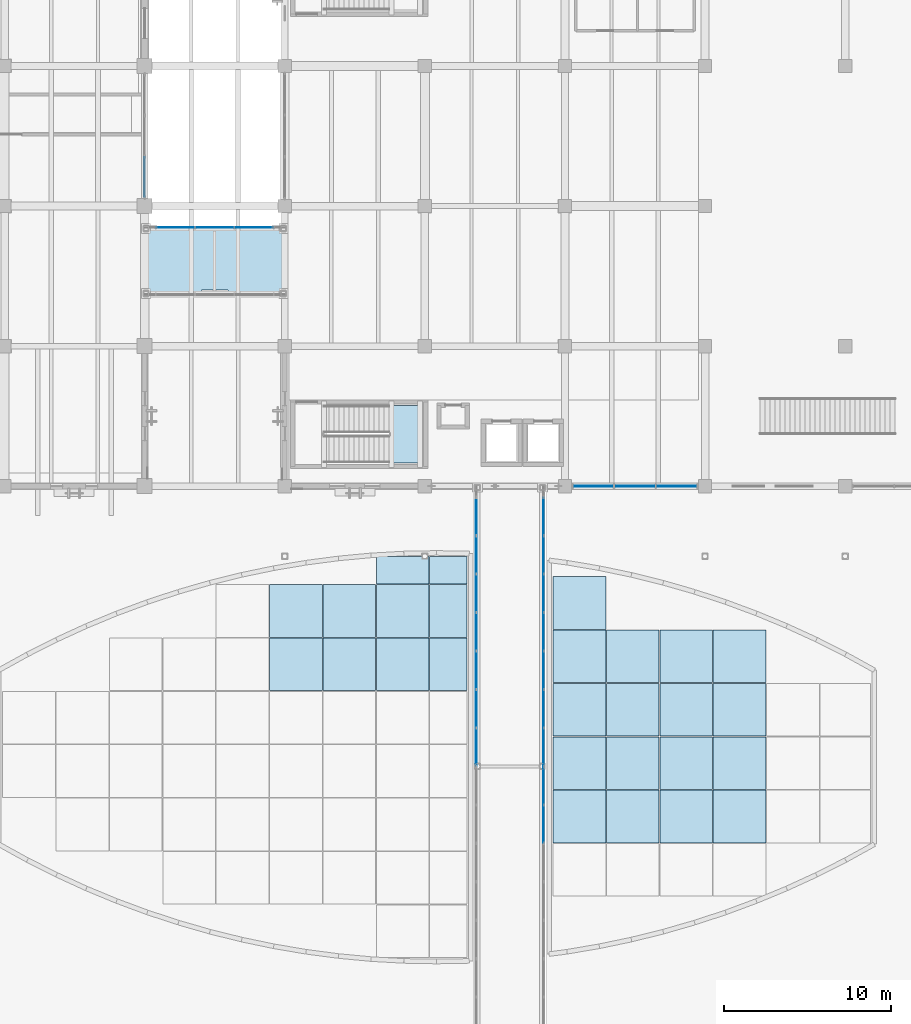
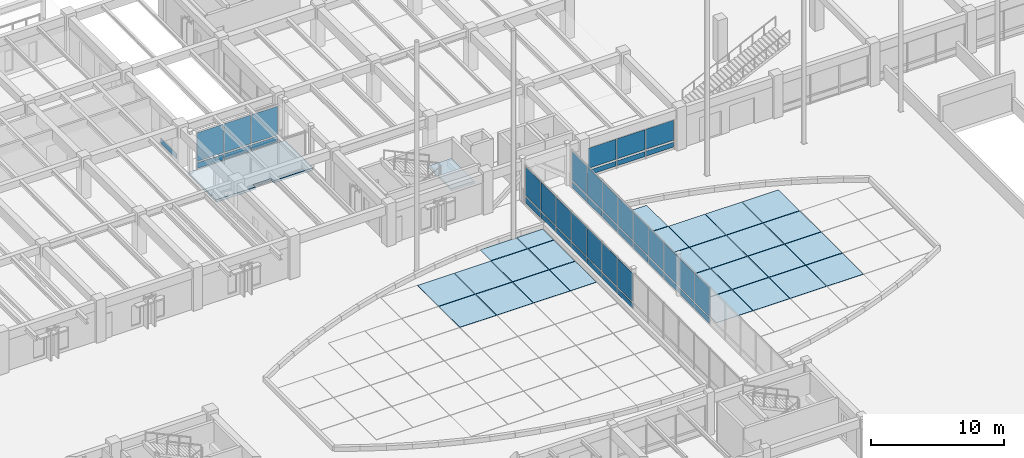
# One storey, part 68 of 135: 72 plates, 2 slabs, 6 elements without a shape of their own.
"""IFC4 building model written with IfcOpenShell, lengths in metres."""

from ifc_helpers import new_model, si_unit, direction, frame, origin, origin_2d, place, context, subcontext, project, spatial, polyline, rectangle, outline, extrude, material, layer, layer_set, type_object, element, aggregate, save


model = new_model("IFC4")

# Units and contexts
model_context = context("Model", 3, precision=1e-05, world=origin(), true_north=direction((0.0, 1.0)))
body_context = subcontext(model_context, "Body", "Model", "MODEL_VIEW")
ifc_project = project(units=[si_unit("LENGTHUNIT", "METRE"), si_unit("AREAUNIT", "SQUARE_METRE"), si_unit("VOLUMEUNIT", "CUBIC_METRE"), si_unit("PLANEANGLEUNIT", "RADIAN"), si_unit("MASSUNIT", "GRAM", prefix="KILO")], contexts=[model_context])

# Site, building, storey
site_placement = place(None, origin())
site = spatial("IfcSite", under=ifc_project, at=site_placement, CompositionType="ELEMENT")
building_placement = place(site_placement, origin())
building = spatial("IfcBuilding", under=site, at=building_placement, Name="Cumbredor Promenade Congress Hotel", CompositionType="ELEMENT")
storey_placement = place(building_placement, origin())
storey = spatial("IfcBuildingStorey", under=building, at=storey_placement, Name="L00", CompositionType="ELEMENT", Elevation=0.0)

# Stair, slab
ifc_material_1 = material(Name="Concrete C40/50", Category="concrete")
stair_type = type_object("IfcStairType", Name="Protected Dog-Leg Exit Stair ST-T3 1650mm", PredefinedType="HALF_TURN_STAIR", material=ifc_material_1)
stair_placement = place(storey_placement, origin())
stair = element("IfcStair", 1, at=stair_placement, inside=storey, type_object=stair_type, Name="L00 Protected Exit Stair ST-13", PredefinedType="HALF_TURN_STAIR")
ifc_layer_1 = layer(ifc_material_1, 0.199951171875, Name="Concrete C40/50", Category="concrete")
ifc_layer_set_1 = layer_set([ifc_layer_1], Name="Concrete C40/50")
slab_type_1 = type_object("IfcSlabType", Name="Concrete Stair Landing Slab 200mm", PredefinedType="LANDING", material=ifc_layer_set_1)
slab_1_placement = place(storey_placement, frame((0.0, 0.0, 1.760009765625)))
slab_1 = element("IfcSlab", 2, at=slab_1_placement, type_object=slab_type_1, Name="ST-13 landing 1", PredefinedType="LANDING", context=body_context, shape_type="SweptSolid", body=[
    extrude(outline(polyline([(98.64990234375, 85.39990234375), (100.64990234375, 85.39990234375), (100.64990234375, 88.85009765625), (98.64990234375, 88.85009765625), (98.64990234375, 85.39990234375)])), origin(), (0.0, 0.0, 1.0), 0.199951171875),
])
aggregate(stair, [slab_1])

# Curtain wall, plates
ifc_material_2 = material(Name="Thermally broken anodized aluminium and low-E glass", Category="aluminium")
curtain_wall_type_1 = type_object("IfcCurtainWallType", Name="Unitised Bridge Glazing Screen CW-05", PredefinedType="NOTDEFINED", material=ifc_material_2)
curtain_wall_1_placement = place(storey_placement, origin())
curtain_wall_1 = element("IfcCurtainWall", 3, at=curtain_wall_1_placement, inside=storey, type_object=curtain_wall_type_1, Name="L00 Central Reflecting-Pool Promenade Bridge West Glazing Screen", PredefinedType="NOTDEFINED")
ifc_material_3 = material(Name="Laminated low-E solar-control glass", Category="glass")
ifc_layer_2 = layer(ifc_material_3, 0.030029296875, Name="Laminated low-E solar-control glass", Category="glass")
ifc_layer_set_2 = layer_set([ifc_layer_2], Name="Laminated low-E solar-control glass")
plate_type_1 = type_object("IfcPlateType", Name="Glazed Bridge Panel PNL-04", PredefinedType="CURTAIN_PANEL", material=ifc_layer_set_2)
plate_1_placement = place(storey_placement, frame((103.8798828125, 68.352783203125, 0.78515625), z_axis=(0.0, 0.0, 1.0), x_axis=(0.0, 1.0, 0.0)))
plate_1 = element("IfcPlate", 4, at=plate_1_placement, type_object=plate_type_1, Name="L00 Central Reflecting-Pool Promenade Bridge West Glazing Screen Glazing Panel 8.2", PredefinedType="CURTAIN_PANEL", context=body_context, shape_type="SweptSolid", body=[
    extrude(rectangle(XDim=2.24072265625, YDim=0.030029296875, at=origin_2d()), origin(), (0.0, 0.0, 1.0), 2.6298828125),
])
plate_2_placement = place(storey_placement, frame((103.8798828125, 70.658447265625, 0.78515625), z_axis=(0.0, 0.0, 1.0), x_axis=(0.0, 1.0, 0.0)))
plate_2 = element("IfcPlate", 5, at=plate_2_placement, type_object=plate_type_1, Name="L00 Central Reflecting-Pool Promenade Bridge West Glazing Screen Glazing Panel 9.2", PredefinedType="CURTAIN_PANEL", context=body_context, shape_type="SweptSolid", body=[
    extrude(rectangle(XDim=2.24072265625, YDim=0.030029296875, at=origin_2d()), origin(), (0.0, 0.0, 1.0), 2.6298828125),
])
plate_3_placement = place(storey_placement, frame((103.8798828125, 72.964111328125, 0.78515625), z_axis=(0.0, 0.0, 1.0), x_axis=(0.0, 1.0, 0.0)))
plate_3 = element("IfcPlate", 6, at=plate_3_placement, type_object=plate_type_1, Name="L00 Central Reflecting-Pool Promenade Bridge West Glazing Screen Glazing Panel 10.2", PredefinedType="CURTAIN_PANEL", context=body_context, shape_type="SweptSolid", body=[
    extrude(rectangle(XDim=2.24072265625, YDim=0.030029296875, at=origin_2d()), origin(), (0.0, 0.0, 1.0), 2.6298828125),
])
plate_4_placement = place(storey_placement, frame((103.8798828125, 75.27001953125, 0.78515625), z_axis=(0.0, 0.0, 1.0), x_axis=(0.0, 1.0, 0.0)))
plate_4 = element("IfcPlate", 7, at=plate_4_placement, type_object=plate_type_1, Name="L00 Central Reflecting-Pool Promenade Bridge West Glazing Screen Glazing Panel 11.2", PredefinedType="CURTAIN_PANEL", context=body_context, shape_type="SweptSolid", body=[
    extrude(rectangle(XDim=2.24072265625, YDim=0.030029296875, at=origin_2d()), origin(), (0.0, 0.0, 1.0), 2.6298828125),
])
plate_5_placement = place(storey_placement, frame((103.8798828125, 77.57568359375, 0.78515625), z_axis=(0.0, 0.0, 1.0), x_axis=(0.0, 1.0, 0.0)))
plate_5 = element("IfcPlate", 8, at=plate_5_placement, type_object=plate_type_1, Name="L00 Central Reflecting-Pool Promenade Bridge West Glazing Screen Glazing Panel 12.2", PredefinedType="CURTAIN_PANEL", context=body_context, shape_type="SweptSolid", body=[
    extrude(rectangle(XDim=2.24072265625, YDim=0.030029296875, at=origin_2d()), origin(), (0.0, 0.0, 1.0), 2.6298828125),
])
plate_6_placement = place(storey_placement, frame((103.8798828125, 79.881591796875, 0.78515625), z_axis=(0.0, 0.0, 1.0), x_axis=(0.0, 1.0, 0.0)))
plate_6 = element("IfcPlate", 9, at=plate_6_placement, type_object=plate_type_1, Name="L00 Central Reflecting-Pool Promenade Bridge West Glazing Screen Glazing Panel 13.2", PredefinedType="CURTAIN_PANEL", context=body_context, shape_type="SweptSolid", body=[
    extrude(rectangle(XDim=2.24072265625, YDim=0.030029296875, at=origin_2d()), origin(), (0.0, 0.0, 1.0), 2.6298828125),
])
plate_7_placement = place(storey_placement, frame((103.8798828125, 82.187255859375, 0.78515625), z_axis=(0.0, 0.0, 1.0), x_axis=(0.0, 1.0, 0.0)))
plate_7 = element("IfcPlate", 10, at=plate_7_placement, type_object=plate_type_1, Name="L00 Central Reflecting-Pool Promenade Bridge West Glazing Screen Glazing Panel 14.2", PredefinedType="CURTAIN_PANEL", context=body_context, shape_type="SweptSolid", body=[
    extrude(rectangle(XDim=2.24072265625, YDim=0.030029296875, at=origin_2d()), origin(), (0.0, 0.0, 1.0), 2.6298828125),
])

curtain_wall_2_placement = place(storey_placement, origin())
curtain_wall_2 = element("IfcCurtainWall", 11, at=curtain_wall_2_placement, inside=storey, type_object=curtain_wall_type_1, Name="L00 Central Reflecting-Pool Promenade Bridge East Glazing Screen", PredefinedType="NOTDEFINED")
plate_8_placement = place(storey_placement, frame((107.919921875, 63.741455078125, 0.78515625), z_axis=(0.0, 0.0, 1.0), x_axis=(0.0, 1.0, 0.0)))
plate_8 = element("IfcPlate", 12, at=plate_8_placement, type_object=plate_type_1, Name="L00 Central Reflecting-Pool Promenade Bridge East Glazing Screen Glazing Panel 6.2", PredefinedType="CURTAIN_PANEL", context=body_context, shape_type="SweptSolid", body=[
    extrude(rectangle(XDim=2.24072265625, YDim=0.030029296875, at=origin_2d()), origin(), (0.0, 0.0, 1.0), 2.6298828125),
])
plate_9_placement = place(storey_placement, frame((107.919921875, 66.047119140625, 0.78515625), z_axis=(0.0, 0.0, 1.0), x_axis=(0.0, 1.0, 0.0)))
plate_9 = element("IfcPlate", 13, at=plate_9_placement, type_object=plate_type_1, Name="L00 Central Reflecting-Pool Promenade Bridge East Glazing Screen Glazing Panel 7.2", PredefinedType="CURTAIN_PANEL", context=body_context, shape_type="SweptSolid", body=[
    extrude(rectangle(XDim=2.24072265625, YDim=0.030029296875, at=origin_2d()), origin(), (0.0, 0.0, 1.0), 2.6298828125),
])
plate_10_placement = place(storey_placement, frame((107.919921875, 68.352783203125, 0.78515625), z_axis=(0.0, 0.0, 1.0), x_axis=(0.0, 1.0, 0.0)))
plate_10 = element("IfcPlate", 14, at=plate_10_placement, type_object=plate_type_1, Name="L00 Central Reflecting-Pool Promenade Bridge East Glazing Screen Glazing Panel 8.2", PredefinedType="CURTAIN_PANEL", context=body_context, shape_type="SweptSolid", body=[
    extrude(rectangle(XDim=2.24072265625, YDim=0.030029296875, at=origin_2d()), origin(), (0.0, 0.0, 1.0), 2.6298828125),
])
plate_11_placement = place(storey_placement, frame((107.919921875, 70.658447265625, 0.78515625), z_axis=(0.0, 0.0, 1.0), x_axis=(0.0, 1.0, 0.0)))
plate_11 = element("IfcPlate", 15, at=plate_11_placement, type_object=plate_type_1, Name="L00 Central Reflecting-Pool Promenade Bridge East Glazing Screen Glazing Panel 9.2", PredefinedType="CURTAIN_PANEL", context=body_context, shape_type="SweptSolid", body=[
    extrude(rectangle(XDim=2.24072265625, YDim=0.030029296875, at=origin_2d()), origin(), (0.0, 0.0, 1.0), 2.6298828125),
])
plate_12_placement = place(storey_placement, frame((107.919921875, 72.964111328125, 0.78515625), z_axis=(0.0, 0.0, 1.0), x_axis=(0.0, 1.0, 0.0)))
plate_12 = element("IfcPlate", 16, at=plate_12_placement, type_object=plate_type_1, Name="L00 Central Reflecting-Pool Promenade Bridge East Glazing Screen Glazing Panel 10.2", PredefinedType="CURTAIN_PANEL", context=body_context, shape_type="SweptSolid", body=[
    extrude(rectangle(XDim=2.24072265625, YDim=0.030029296875, at=origin_2d()), origin(), (0.0, 0.0, 1.0), 2.6298828125),
])
plate_13_placement = place(storey_placement, frame((107.919921875, 75.27001953125, 0.78515625), z_axis=(0.0, 0.0, 1.0), x_axis=(0.0, 1.0, 0.0)))
plate_13 = element("IfcPlate", 17, at=plate_13_placement, type_object=plate_type_1, Name="L00 Central Reflecting-Pool Promenade Bridge East Glazing Screen Glazing Panel 11.2", PredefinedType="CURTAIN_PANEL", context=body_context, shape_type="SweptSolid", body=[
    extrude(rectangle(XDim=2.24072265625, YDim=0.030029296875, at=origin_2d()), origin(), (0.0, 0.0, 1.0), 2.6298828125),
])
plate_14_placement = place(storey_placement, frame((107.919921875, 77.57568359375, 0.78515625), z_axis=(0.0, 0.0, 1.0), x_axis=(0.0, 1.0, 0.0)))
plate_14 = element("IfcPlate", 18, at=plate_14_placement, type_object=plate_type_1, Name="L00 Central Reflecting-Pool Promenade Bridge East Glazing Screen Glazing Panel 12.2", PredefinedType="CURTAIN_PANEL", context=body_context, shape_type="SweptSolid", body=[
    extrude(rectangle(XDim=2.24072265625, YDim=0.030029296875, at=origin_2d()), origin(), (0.0, 0.0, 1.0), 2.6298828125),
])
plate_15_placement = place(storey_placement, frame((107.919921875, 79.881591796875, 0.78515625), z_axis=(0.0, 0.0, 1.0), x_axis=(0.0, 1.0, 0.0)))
plate_15 = element("IfcPlate", 19, at=plate_15_placement, type_object=plate_type_1, Name="L00 Central Reflecting-Pool Promenade Bridge East Glazing Screen Glazing Panel 13.2", PredefinedType="CURTAIN_PANEL", context=body_context, shape_type="SweptSolid", body=[
    extrude(rectangle(XDim=2.24072265625, YDim=0.030029296875, at=origin_2d()), origin(), (0.0, 0.0, 1.0), 2.6298828125),
])
plate_16_placement = place(storey_placement, frame((107.919921875, 82.187255859375, 0.78515625), z_axis=(0.0, 0.0, 1.0), x_axis=(0.0, 1.0, 0.0)))
plate_16 = element("IfcPlate", 20, at=plate_16_placement, type_object=plate_type_1, Name="L00 Central Reflecting-Pool Promenade Bridge East Glazing Screen Glazing Panel 14.2", PredefinedType="CURTAIN_PANEL", context=body_context, shape_type="SweptSolid", body=[
    extrude(rectangle(XDim=2.24072265625, YDim=0.030029296875, at=origin_2d()), origin(), (0.0, 0.0, 1.0), 2.6298828125),
])

curtain_wall_3_placement = place(storey_placement, origin())
curtain_wall_3 = element("IfcCurtainWall", 21, at=curtain_wall_3_placement, inside=storey, type_object=curtain_wall_type_1, Name="L00 North Hotel-to-Forum Glazed Bridge North Glazing Screen", PredefinedType="NOTDEFINED")
plate_17_placement = place(storey_placement, frame((85.840087890625, 99.52001953125, 0.78515625), z_axis=(0.0, 0.0, 1.0), x_axis=(1.0, 0.0, 0.0)))
plate_17 = element("IfcPlate", 22, at=plate_17_placement, type_object=plate_type_1, Name="L00 North Hotel-to-Forum Glazed Bridge North Glazing Screen Glazing Panel 1.2", PredefinedType="CURTAIN_PANEL", context=body_context, shape_type="SweptSolid", body=[
    extrude(rectangle(XDim=2.294921875, YDim=0.030029296875, at=origin_2d()), origin(), (0.0, 0.0, 1.0), 2.6298828125),
])
plate_18_placement = place(storey_placement, frame((88.199951171875, 99.52001953125, 0.78515625), z_axis=(0.0, 0.0, 1.0), x_axis=(1.0, 0.0, 0.0)))
plate_18 = element("IfcPlate", 23, at=plate_18_placement, type_object=plate_type_1, Name="L00 North Hotel-to-Forum Glazed Bridge North Glazing Screen Glazing Panel 2.2", PredefinedType="CURTAIN_PANEL", context=body_context, shape_type="SweptSolid", body=[
    extrude(rectangle(XDim=2.294921875, YDim=0.030029296875, at=origin_2d()), origin(), (0.0, 0.0, 1.0), 2.6298828125),
])
plate_19_placement = place(storey_placement, frame((90.56005859375, 99.52001953125, 0.78515625), z_axis=(0.0, 0.0, 1.0), x_axis=(1.0, 0.0, 0.0)))
plate_19 = element("IfcPlate", 24, at=plate_19_placement, type_object=plate_type_1, Name="L00 North Hotel-to-Forum Glazed Bridge North Glazing Screen Glazing Panel 3.2", PredefinedType="CURTAIN_PANEL", context=body_context, shape_type="SweptSolid", body=[
    extrude(rectangle(XDim=2.294921875, YDim=0.030029296875, at=origin_2d()), origin(), (0.0, 0.0, 1.0), 2.6298828125),
])

curtain_wall_type_2 = type_object("IfcCurtainWallType", Name="Unitised Grand Foyer Curtain Wall CW-04", PredefinedType="NOTDEFINED", material=ifc_material_2)
curtain_wall_4_placement = place(storey_placement, origin())
curtain_wall_4 = element("IfcCurtainWall", 25, at=curtain_wall_4_placement, inside=storey, type_object=curtain_wall_type_2, Name="L00 Pre-Function and Breakout Meeting Forum South Curtain Wall 3", PredefinedType="NOTDEFINED")
ifc_layer_3 = layer(ifc_material_3, 0.028076171875, Name="Laminated low-E solar-control glass", Category="glass")
ifc_layer_set_3 = layer_set([ifc_layer_3], Name="Laminated low-E solar-control glass")
plate_type_2 = type_object("IfcPlateType", Name="Glazed Vision Panel PNL-03", PredefinedType="CURTAIN_PANEL", material=ifc_layer_set_3)
plate_20_placement = place(storey_placement, frame((110.9033203125, 84.0, 0.81005859375), z_axis=(0.0, 0.0, 1.0), x_axis=(1.0, 0.0, 0.0)))
plate_20 = element("IfcPlate", 26, at=plate_20_placement, type_object=plate_type_2, Name="L00 Pre-Function and Breakout Meeting Forum South Curtain Wall 3 Glazing Panel 1.2", PredefinedType="CURTAIN_PANEL", context=body_context, shape_type="SweptSolid", body=[
    extrude(rectangle(XDim=2.416748046875, YDim=0.028076171875, at=origin_2d()), origin(), (0.0, 0.0, 1.0), 1.840087890625),
])
plate_21_placement = place(storey_placement, frame((113.39990234375, 84.0, 0.81005859375), z_axis=(0.0, 0.0, 1.0), x_axis=(1.0, 0.0, 0.0)))
plate_21 = element("IfcPlate", 27, at=plate_21_placement, type_object=plate_type_2, Name="L00 Pre-Function and Breakout Meeting Forum South Curtain Wall 3 Glazing Panel 2.2", PredefinedType="CURTAIN_PANEL", context=body_context, shape_type="SweptSolid", body=[
    extrude(rectangle(XDim=2.41650390625, YDim=0.028076171875, at=origin_2d()), origin(), (0.0, 0.0, 1.0), 1.840087890625),
])
plate_22_placement = place(storey_placement, frame((115.896484375, 84.0, 0.81005859375), z_axis=(0.0, 0.0, 1.0), x_axis=(1.0, 0.0, 0.0)))
plate_22 = element("IfcPlate", 28, at=plate_22_placement, type_object=plate_type_2, Name="L00 Pre-Function and Breakout Meeting Forum South Curtain Wall 3 Glazing Panel 3.2", PredefinedType="CURTAIN_PANEL", context=body_context, shape_type="SweptSolid", body=[
    extrude(rectangle(XDim=2.416748046875, YDim=0.028076171875, at=origin_2d()), origin(), (0.0, 0.0, 1.0), 1.840087890625),
])

# Curtain wall, plate
curtain_wall_5_placement = place(storey_placement, origin())
curtain_wall_5 = element("IfcCurtainWall", 29, at=curtain_wall_5_placement, inside=storey, type_object=curtain_wall_type_2, Name="L00 Stepped Congress Hotel Wing East Curtain Wall 3", PredefinedType="NOTDEFINED")
ifc_material_4 = material(Name="Thermally broken anodized aluminium", Category="aluminium")
ifc_layer_4 = layer(ifc_material_4, 0.0400390625, Name="Thermally broken anodized aluminium", Category="aluminium")
ifc_layer_set_4 = layer_set([ifc_layer_4], Name="Thermally broken anodized aluminium")
plate_type_3 = type_object("IfcPlateType", Name="Insulated Spandrel Panel PNL-05", PredefinedType="CURTAIN_PANEL", material=ifc_layer_set_4)
plate_23_placement = place(storey_placement, frame((84.0, 102.53662109375, 0.14501953125), z_axis=(0.0, 0.0, 1.0), x_axis=(0.0, 1.0, 0.0)))
plate_23 = element("IfcPlate", 30, at=plate_23_placement, type_object=plate_type_3, Name="L00 Stepped Congress Hotel Wing East Curtain Wall 3 Spandrel Panel 1.1", PredefinedType="CURTAIN_PANEL", context=body_context, shape_type="SweptSolid", body=[
    extrude(rectangle(XDim=2.38818359375, YDim=0.0400390625, at=origin_2d()), origin(), (0.0, 0.0, 1.0), 0.5),
])
aggregate(curtain_wall_5, [plate_23])

# Plate
ifc_layer_5 = layer(ifc_material_4, 0.0400390625, Name="Thermally broken anodized aluminium", Category="aluminium")
ifc_layer_set_5 = layer_set([ifc_layer_5], Name="Thermally broken anodized aluminium")
plate_type_4 = type_object("IfcPlateType", Name="Insulated Spandrel Panel PNL-06", PredefinedType="CURTAIN_PANEL", material=ifc_layer_set_5)
plate_24_placement = place(storey_placement, frame((110.9033203125, 84.0, 0.18017578125), z_axis=(0.0, 0.0, 1.0), x_axis=(1.0, 0.0, 0.0)))
plate_24 = element("IfcPlate", 31, at=plate_24_placement, type_object=plate_type_4, Name="L00 Pre-Function and Breakout Meeting Forum South Curtain Wall 3 Spandrel Panel 1.1", PredefinedType="CURTAIN_PANEL", context=body_context, shape_type="SweptSolid", body=[
    extrude(rectangle(XDim=2.416748046875, YDim=0.0400390625, at=origin_2d()), origin(), (0.0, 0.0, 1.0), 0.449951171875),
])

plate_25_placement = place(storey_placement, frame((113.39990234375, 84.0, 0.18017578125), z_axis=(0.0, 0.0, 1.0), x_axis=(1.0, 0.0, 0.0)))
plate_25 = element("IfcPlate", 32, at=plate_25_placement, type_object=plate_type_4, Name="L00 Pre-Function and Breakout Meeting Forum South Curtain Wall 3 Spandrel Panel 2.1", PredefinedType="CURTAIN_PANEL", context=body_context, shape_type="SweptSolid", body=[
    extrude(rectangle(XDim=2.41650390625, YDim=0.0400390625, at=origin_2d()), origin(), (0.0, 0.0, 1.0), 0.449951171875),
])

plate_26_placement = place(storey_placement, frame((115.896484375, 84.0, 0.18017578125), z_axis=(0.0, 0.0, 1.0), x_axis=(1.0, 0.0, 0.0)))
plate_26 = element("IfcPlate", 33, at=plate_26_placement, type_object=plate_type_4, Name="L00 Pre-Function and Breakout Meeting Forum South Curtain Wall 3 Spandrel Panel 3.1", PredefinedType="CURTAIN_PANEL", context=body_context, shape_type="SweptSolid", body=[
    extrude(rectangle(XDim=2.416748046875, YDim=0.0400390625, at=origin_2d()), origin(), (0.0, 0.0, 1.0), 0.449951171875),
])

aggregate(curtain_wall_4, [plate_24, plate_20, plate_25, plate_21, plate_26, plate_22])

plate_27_placement = place(storey_placement, frame((103.8798828125, 68.352783203125, 0.135009765625), z_axis=(0.0, 0.0, 1.0), x_axis=(0.0, 1.0, 0.0)))
plate_27 = element("IfcPlate", 34, at=plate_27_placement, type_object=plate_type_4, Name="L00 Central Reflecting-Pool Promenade Bridge West Glazing Screen Spandrel Panel 8.1", PredefinedType="CURTAIN_PANEL", context=body_context, shape_type="SweptSolid", body=[
    extrude(rectangle(XDim=2.24072265625, YDim=0.0400390625, at=origin_2d()), origin(), (0.0, 0.0, 1.0), 0.52001953125),
])

plate_28_placement = place(storey_placement, frame((103.8798828125, 70.658447265625, 0.135009765625), z_axis=(0.0, 0.0, 1.0), x_axis=(0.0, 1.0, 0.0)))
plate_28 = element("IfcPlate", 35, at=plate_28_placement, type_object=plate_type_4, Name="L00 Central Reflecting-Pool Promenade Bridge West Glazing Screen Spandrel Panel 9.1", PredefinedType="CURTAIN_PANEL", context=body_context, shape_type="SweptSolid", body=[
    extrude(rectangle(XDim=2.24072265625, YDim=0.0400390625, at=origin_2d()), origin(), (0.0, 0.0, 1.0), 0.52001953125),
])

plate_29_placement = place(storey_placement, frame((103.8798828125, 72.964111328125, 0.135009765625), z_axis=(0.0, 0.0, 1.0), x_axis=(0.0, 1.0, 0.0)))
plate_29 = element("IfcPlate", 36, at=plate_29_placement, type_object=plate_type_4, Name="L00 Central Reflecting-Pool Promenade Bridge West Glazing Screen Spandrel Panel 10.1", PredefinedType="CURTAIN_PANEL", context=body_context, shape_type="SweptSolid", body=[
    extrude(rectangle(XDim=2.24072265625, YDim=0.0400390625, at=origin_2d()), origin(), (0.0, 0.0, 1.0), 0.52001953125),
])

plate_30_placement = place(storey_placement, frame((103.8798828125, 75.27001953125, 0.135009765625), z_axis=(0.0, 0.0, 1.0), x_axis=(0.0, 1.0, 0.0)))
plate_30 = element("IfcPlate", 37, at=plate_30_placement, type_object=plate_type_4, Name="L00 Central Reflecting-Pool Promenade Bridge West Glazing Screen Spandrel Panel 11.1", PredefinedType="CURTAIN_PANEL", context=body_context, shape_type="SweptSolid", body=[
    extrude(rectangle(XDim=2.24072265625, YDim=0.0400390625, at=origin_2d()), origin(), (0.0, 0.0, 1.0), 0.52001953125),
])

plate_31_placement = place(storey_placement, frame((103.8798828125, 77.57568359375, 0.135009765625), z_axis=(0.0, 0.0, 1.0), x_axis=(0.0, 1.0, 0.0)))
plate_31 = element("IfcPlate", 38, at=plate_31_placement, type_object=plate_type_4, Name="L00 Central Reflecting-Pool Promenade Bridge West Glazing Screen Spandrel Panel 12.1", PredefinedType="CURTAIN_PANEL", context=body_context, shape_type="SweptSolid", body=[
    extrude(rectangle(XDim=2.24072265625, YDim=0.0400390625, at=origin_2d()), origin(), (0.0, 0.0, 1.0), 0.52001953125),
])

plate_32_placement = place(storey_placement, frame((103.8798828125, 79.881591796875, 0.135009765625), z_axis=(0.0, 0.0, 1.0), x_axis=(0.0, 1.0, 0.0)))
plate_32 = element("IfcPlate", 39, at=plate_32_placement, type_object=plate_type_4, Name="L00 Central Reflecting-Pool Promenade Bridge West Glazing Screen Spandrel Panel 13.1", PredefinedType="CURTAIN_PANEL", context=body_context, shape_type="SweptSolid", body=[
    extrude(rectangle(XDim=2.24072265625, YDim=0.0400390625, at=origin_2d()), origin(), (0.0, 0.0, 1.0), 0.52001953125),
])

plate_33_placement = place(storey_placement, frame((103.8798828125, 82.187255859375, 0.135009765625), z_axis=(0.0, 0.0, 1.0), x_axis=(0.0, 1.0, 0.0)))
plate_33 = element("IfcPlate", 40, at=plate_33_placement, type_object=plate_type_4, Name="L00 Central Reflecting-Pool Promenade Bridge West Glazing Screen Spandrel Panel 14.1", PredefinedType="CURTAIN_PANEL", context=body_context, shape_type="SweptSolid", body=[
    extrude(rectangle(XDim=2.24072265625, YDim=0.0400390625, at=origin_2d()), origin(), (0.0, 0.0, 1.0), 0.52001953125),
])

aggregate(curtain_wall_1, [plate_27, plate_1, plate_28, plate_2, plate_29, plate_3, plate_30, plate_4, plate_31, plate_5, plate_32, plate_6, plate_33, plate_7])

plate_34_placement = place(storey_placement, frame((107.919921875, 63.741455078125, 0.135009765625), z_axis=(0.0, 0.0, 1.0), x_axis=(0.0, 1.0, 0.0)))
plate_34 = element("IfcPlate", 41, at=plate_34_placement, type_object=plate_type_4, Name="L00 Central Reflecting-Pool Promenade Bridge East Glazing Screen Spandrel Panel 6.1", PredefinedType="CURTAIN_PANEL", context=body_context, shape_type="SweptSolid", body=[
    extrude(rectangle(XDim=2.24072265625, YDim=0.0400390625, at=origin_2d()), origin(), (0.0, 0.0, 1.0), 0.52001953125),
])

plate_35_placement = place(storey_placement, frame((107.919921875, 66.047119140625, 0.135009765625), z_axis=(0.0, 0.0, 1.0), x_axis=(0.0, 1.0, 0.0)))
plate_35 = element("IfcPlate", 42, at=plate_35_placement, type_object=plate_type_4, Name="L00 Central Reflecting-Pool Promenade Bridge East Glazing Screen Spandrel Panel 7.1", PredefinedType="CURTAIN_PANEL", context=body_context, shape_type="SweptSolid", body=[
    extrude(rectangle(XDim=2.24072265625, YDim=0.0400390625, at=origin_2d()), origin(), (0.0, 0.0, 1.0), 0.52001953125),
])

plate_36_placement = place(storey_placement, frame((107.919921875, 68.352783203125, 0.135009765625), z_axis=(0.0, 0.0, 1.0), x_axis=(0.0, 1.0, 0.0)))
plate_36 = element("IfcPlate", 43, at=plate_36_placement, type_object=plate_type_4, Name="L00 Central Reflecting-Pool Promenade Bridge East Glazing Screen Spandrel Panel 8.1", PredefinedType="CURTAIN_PANEL", context=body_context, shape_type="SweptSolid", body=[
    extrude(rectangle(XDim=2.24072265625, YDim=0.0400390625, at=origin_2d()), origin(), (0.0, 0.0, 1.0), 0.52001953125),
])

plate_37_placement = place(storey_placement, frame((107.919921875, 70.658447265625, 0.135009765625), z_axis=(0.0, 0.0, 1.0), x_axis=(0.0, 1.0, 0.0)))
plate_37 = element("IfcPlate", 44, at=plate_37_placement, type_object=plate_type_4, Name="L00 Central Reflecting-Pool Promenade Bridge East Glazing Screen Spandrel Panel 9.1", PredefinedType="CURTAIN_PANEL", context=body_context, shape_type="SweptSolid", body=[
    extrude(rectangle(XDim=2.24072265625, YDim=0.0400390625, at=origin_2d()), origin(), (0.0, 0.0, 1.0), 0.52001953125),
])

plate_38_placement = place(storey_placement, frame((107.919921875, 72.964111328125, 0.135009765625), z_axis=(0.0, 0.0, 1.0), x_axis=(0.0, 1.0, 0.0)))
plate_38 = element("IfcPlate", 45, at=plate_38_placement, type_object=plate_type_4, Name="L00 Central Reflecting-Pool Promenade Bridge East Glazing Screen Spandrel Panel 10.1", PredefinedType="CURTAIN_PANEL", context=body_context, shape_type="SweptSolid", body=[
    extrude(rectangle(XDim=2.24072265625, YDim=0.0400390625, at=origin_2d()), origin(), (0.0, 0.0, 1.0), 0.52001953125),
])

plate_39_placement = place(storey_placement, frame((107.919921875, 75.27001953125, 0.135009765625), z_axis=(0.0, 0.0, 1.0), x_axis=(0.0, 1.0, 0.0)))
plate_39 = element("IfcPlate", 46, at=plate_39_placement, type_object=plate_type_4, Name="L00 Central Reflecting-Pool Promenade Bridge East Glazing Screen Spandrel Panel 11.1", PredefinedType="CURTAIN_PANEL", context=body_context, shape_type="SweptSolid", body=[
    extrude(rectangle(XDim=2.24072265625, YDim=0.0400390625, at=origin_2d()), origin(), (0.0, 0.0, 1.0), 0.52001953125),
])

plate_40_placement = place(storey_placement, frame((107.919921875, 77.57568359375, 0.135009765625), z_axis=(0.0, 0.0, 1.0), x_axis=(0.0, 1.0, 0.0)))
plate_40 = element("IfcPlate", 47, at=plate_40_placement, type_object=plate_type_4, Name="L00 Central Reflecting-Pool Promenade Bridge East Glazing Screen Spandrel Panel 12.1", PredefinedType="CURTAIN_PANEL", context=body_context, shape_type="SweptSolid", body=[
    extrude(rectangle(XDim=2.24072265625, YDim=0.0400390625, at=origin_2d()), origin(), (0.0, 0.0, 1.0), 0.52001953125),
])

plate_41_placement = place(storey_placement, frame((107.919921875, 79.881591796875, 0.135009765625), z_axis=(0.0, 0.0, 1.0), x_axis=(0.0, 1.0, 0.0)))
plate_41 = element("IfcPlate", 48, at=plate_41_placement, type_object=plate_type_4, Name="L00 Central Reflecting-Pool Promenade Bridge East Glazing Screen Spandrel Panel 13.1", PredefinedType="CURTAIN_PANEL", context=body_context, shape_type="SweptSolid", body=[
    extrude(rectangle(XDim=2.24072265625, YDim=0.0400390625, at=origin_2d()), origin(), (0.0, 0.0, 1.0), 0.52001953125),
])

plate_42_placement = place(storey_placement, frame((107.919921875, 82.187255859375, 0.135009765625), z_axis=(0.0, 0.0, 1.0), x_axis=(0.0, 1.0, 0.0)))
plate_42 = element("IfcPlate", 49, at=plate_42_placement, type_object=plate_type_4, Name="L00 Central Reflecting-Pool Promenade Bridge East Glazing Screen Spandrel Panel 14.1", PredefinedType="CURTAIN_PANEL", context=body_context, shape_type="SweptSolid", body=[
    extrude(rectangle(XDim=2.24072265625, YDim=0.0400390625, at=origin_2d()), origin(), (0.0, 0.0, 1.0), 0.52001953125),
])

aggregate(curtain_wall_2, [plate_34, plate_8, plate_35, plate_9, plate_36, plate_10, plate_37, plate_11, plate_38, plate_12, plate_39, plate_13, plate_40, plate_14, plate_41, plate_15, plate_42, plate_16])

plate_43_placement = place(storey_placement, frame((85.840087890625, 99.52001953125, 0.135009765625), z_axis=(0.0, 0.0, 1.0), x_axis=(1.0, 0.0, 0.0)))
plate_43 = element("IfcPlate", 50, at=plate_43_placement, type_object=plate_type_4, Name="L00 North Hotel-to-Forum Glazed Bridge North Glazing Screen Spandrel Panel 1.1", PredefinedType="CURTAIN_PANEL", context=body_context, shape_type="SweptSolid", body=[
    extrude(rectangle(XDim=2.294921875, YDim=0.0400390625, at=origin_2d()), origin(), (0.0, 0.0, 1.0), 0.52001953125),
])

plate_44_placement = place(storey_placement, frame((88.199951171875, 99.52001953125, 0.135009765625), z_axis=(0.0, 0.0, 1.0), x_axis=(1.0, 0.0, 0.0)))
plate_44 = element("IfcPlate", 51, at=plate_44_placement, type_object=plate_type_4, Name="L00 North Hotel-to-Forum Glazed Bridge North Glazing Screen Spandrel Panel 2.1", PredefinedType="CURTAIN_PANEL", context=body_context, shape_type="SweptSolid", body=[
    extrude(rectangle(XDim=2.294921875, YDim=0.0400390625, at=origin_2d()), origin(), (0.0, 0.0, 1.0), 0.52001953125),
])

plate_45_placement = place(storey_placement, frame((90.56005859375, 99.52001953125, 0.135009765625), z_axis=(0.0, 0.0, 1.0), x_axis=(1.0, 0.0, 0.0)))
plate_45 = element("IfcPlate", 52, at=plate_45_placement, type_object=plate_type_4, Name="L00 North Hotel-to-Forum Glazed Bridge North Glazing Screen Spandrel Panel 3.1", PredefinedType="CURTAIN_PANEL", context=body_context, shape_type="SweptSolid", body=[
    extrude(rectangle(XDim=2.294921875, YDim=0.0400390625, at=origin_2d()), origin(), (0.0, 0.0, 1.0), 0.52001953125),
])

aggregate(curtain_wall_3, [plate_43, plate_17, plate_44, plate_18, plate_45, plate_19])

# Slab
ifc_layer_6 = layer(ifc_material_1, 0.219970703125, Name="Concrete C40/50", Category="concrete")
ifc_layer_set_6 = layer_set([ifc_layer_6], Name="Concrete C40/50")
slab_type_2 = type_object("IfcSlabType", Name="Link Bridge Deck Slab 220mm", PredefinedType="FLOOR", material=ifc_layer_set_6)
slab_2_placement = place(storey_placement, frame((0.0, 0.0, -0.219970703125)))
element("IfcSlab", 53, at=slab_2_placement, inside=storey, type_object=slab_type_2, Name="L00 North Hotel-to-Forum Glazed Bridge Floor Deck", PredefinedType="FLOOR", context=body_context, shape_type="SweptSolid", body=[
    extrude(outline(polyline([(84.0, 95.39990234375), (87.39990234375, 95.39990234375), (87.39990234375, 95.75), (89.0, 95.75), (89.0, 95.39990234375), (92.39990234375, 95.39990234375), (92.39990234375, 99.60009765625), (84.0, 99.60009765625), (84.0, 95.39990234375)])), origin(), (0.0, 0.0, 1.0), 0.219970703125),
])

# Plates
ifc_layer_7 = layer(ifc_material_3, 0.030029296875, Name="Laminated low-E solar-control glass", Category="glass")
ifc_layer_set_7 = layer_set([ifc_layer_7], Name="Laminated low-E solar-control glass")
plate_type_5 = type_object("IfcPlateType", Name="Reflecting Pool Water Mirror Panel WMP-01", PredefinedType="USERDEFINED", material=ifc_layer_set_7)
for number, where, z_axis, x_axis, name in (
    (54, (93.070068359375, 73.320068359375, 0.0), (0.0, 0.0, 1.0), (1.0, 0.0, 0.0), "Central Reflecting Pool Water Mirror 025"),
    (55, (93.070068359375, 76.52001953125, 0.0), (0.0, 0.0, 1.0), (1.0, 0.0, 0.0), "Central Reflecting Pool Water Mirror 026"),
    (56, (96.27001953125, 73.320068359375, 0.0), (0.0, 0.0, 1.0), (1.0, 0.0, 0.0), "Central Reflecting Pool Water Mirror 031"),
    (57, (96.27001953125, 76.52001953125, 0.0), (0.0, 0.0, 1.0), (1.0, 0.0, 0.0), "Central Reflecting Pool Water Mirror 032"),
    (58, (99.469970703125, 73.320068359375, 0.0), (0.0, 0.0, 1.0), (1.0, 0.0, 0.0), "Central Reflecting Pool Water Mirror 038"),
    (59, (99.469970703125, 76.52001953125, 0.0), (0.0, 0.0, 1.0), (1.0, 0.0, 0.0), "Central Reflecting Pool Water Mirror 039"),
):
    element("IfcPlate", number, at=place(storey_placement, frame(where, z_axis=z_axis, x_axis=x_axis)), inside=storey, type_object=plate_type_5, Name=name, ObjectType="WATER MIRROR PANEL", PredefinedType="USERDEFINED", context=body_context, shape_type="SweptSolid", body=[
        extrude(rectangle(XDim=3.159912109375, YDim=3.159912109375, at=origin_2d()), origin(), (0.0, 0.0, 1.0), 0.030029296875),
    ])
plate_46_placement = place(storey_placement, frame((99.469970703125, 78.955810546875, 0.0), z_axis=(0.0, 0.0, 1.0), x_axis=(1.0, 0.0, 0.0)))
element("IfcPlate", 60, at=plate_46_placement, inside=storey, type_object=plate_type_5, Name="Central Reflecting Pool Water Mirror 040", ObjectType="WATER MIRROR PANEL", PredefinedType="USERDEFINED", context=body_context, shape_type="SweptSolid", body=[
    extrude(rectangle(XDim=3.159912109375, YDim=1.631591796875, at=origin_2d()), origin(), (0.0, 0.0, 1.0), 0.030029296875),
])
for number, where, z_axis, x_axis, name in (
    (61, (102.2099609375, 73.320068359375, 0.0), (0.0, 0.0, 1.0), (1.0, 0.0, 0.0), "Central Reflecting Pool Water Mirror 046"),
    (62, (102.2099609375, 76.52001953125, 0.0), (0.0, 0.0, 1.0), (1.0, 0.0, 0.0), "Central Reflecting Pool Water Mirror 047"),
):
    element("IfcPlate", number, at=place(storey_placement, frame(where, z_axis=z_axis, x_axis=x_axis)), inside=storey, type_object=plate_type_5, Name=name, ObjectType="WATER MIRROR PANEL", PredefinedType="USERDEFINED", context=body_context, shape_type="SweptSolid", body=[
        extrude(rectangle(XDim=2.239990234375, YDim=3.159912109375, at=origin_2d()), origin(), (0.0, 0.0, 1.0), 0.030029296875),
    ])
plate_47_placement = place(storey_placement, frame((102.2099609375, 78.9599609375, 0.0), z_axis=(0.0, 0.0, 1.0), x_axis=(1.0, 0.0, 0.0)))
element("IfcPlate", 63, at=plate_47_placement, inside=storey, type_object=plate_type_5, Name="Central Reflecting Pool Water Mirror 048", ObjectType="WATER MIRROR PANEL", PredefinedType="USERDEFINED", context=body_context, shape_type="SweptSolid", body=[
    extrude(rectangle(XDim=2.239990234375, YDim=1.639892578125, at=origin_2d()), origin(), (0.0, 0.0, 1.0), 0.030029296875),
])
for number, where, z_axis, x_axis, name in (
    (64, (110.070068359375, 64.19580078125, 0.0), (0.0, 0.0, 1.0), (1.0, 0.0, 0.0), "Central Reflecting Pool Water Mirror 050"),
    (65, (110.070068359375, 67.395751953125, 0.0), (0.0, 0.0, 1.0), (1.0, 0.0, 0.0), "Central Reflecting Pool Water Mirror 051"),
    (66, (110.070068359375, 70.595703125, 0.0), (0.0, 0.0, 1.0), (1.0, 0.0, 0.0), "Central Reflecting Pool Water Mirror 052"),
    (67, (110.070068359375, 73.7958984375, 0.0), (0.0, 0.0, 1.0), (1.0, 0.0, 0.0), "Central Reflecting Pool Water Mirror 053"),
    (68, (110.070068359375, 76.995849609375, 0.0), (0.0, 0.0, 1.0), (1.0, 0.0, 0.0), "Central Reflecting Pool Water Mirror 054"),
    (69, (113.27001953125, 64.19580078125, 0.0), (0.0, 0.0, 1.0), (1.0, 0.0, 0.0), "Central Reflecting Pool Water Mirror 056"),
    (70, (113.27001953125, 67.395751953125, 0.0), (0.0, 0.0, 1.0), (1.0, 0.0, 0.0), "Central Reflecting Pool Water Mirror 057"),
    (71, (113.27001953125, 70.595703125, 0.0), (0.0, 0.0, 1.0), (1.0, 0.0, 0.0), "Central Reflecting Pool Water Mirror 058"),
    (72, (113.27001953125, 73.7958984375, 0.0), (0.0, 0.0, 1.0), (1.0, 0.0, 0.0), "Central Reflecting Pool Water Mirror 059"),
    (73, (116.469970703125, 64.19580078125, 0.0), (0.0, 0.0, 1.0), (1.0, 0.0, 0.0), "Central Reflecting Pool Water Mirror 061"),
    (74, (116.469970703125, 67.395751953125, 0.0), (0.0, 0.0, 1.0), (1.0, 0.0, 0.0), "Central Reflecting Pool Water Mirror 062"),
    (75, (116.469970703125, 70.595703125, 0.0), (0.0, 0.0, 1.0), (1.0, 0.0, 0.0), "Central Reflecting Pool Water Mirror 063"),
    (76, (116.469970703125, 73.7958984375, 0.0), (0.0, 0.0, 1.0), (1.0, 0.0, 0.0), "Central Reflecting Pool Water Mirror 064"),
    (77, (119.669921875, 64.19580078125, 0.0), (0.0, 0.0, 1.0), (1.0, 0.0, 0.0), "Central Reflecting Pool Water Mirror 066"),
    (78, (119.669921875, 67.395751953125, 0.0), (0.0, 0.0, 1.0), (1.0, 0.0, 0.0), "Central Reflecting Pool Water Mirror 067"),
    (79, (119.669921875, 70.595703125, 0.0), (0.0, 0.0, 1.0), (1.0, 0.0, 0.0), "Central Reflecting Pool Water Mirror 068"),
    (80, (119.669921875, 73.7958984375, 0.0), (0.0, 0.0, 1.0), (1.0, 0.0, 0.0), "Central Reflecting Pool Water Mirror 069"),
):
    element("IfcPlate", number, at=place(storey_placement, frame(where, z_axis=z_axis, x_axis=x_axis)), inside=storey, type_object=plate_type_5, Name=name, ObjectType="WATER MIRROR PANEL", PredefinedType="USERDEFINED", context=body_context, shape_type="SweptSolid", body=[
        extrude(rectangle(XDim=3.159912109375, YDim=3.159912109375, at=origin_2d()), origin(), (0.0, 0.0, 1.0), 0.030029296875),
    ])

save(model, "model.ifc")
